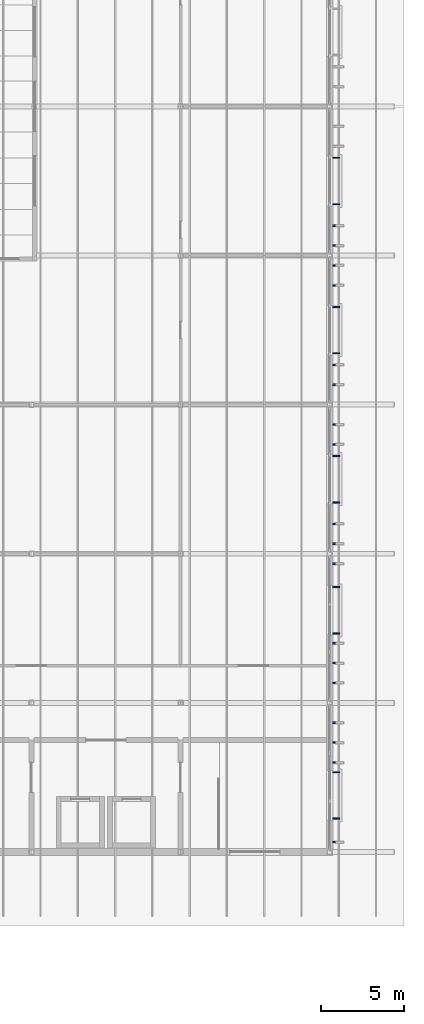
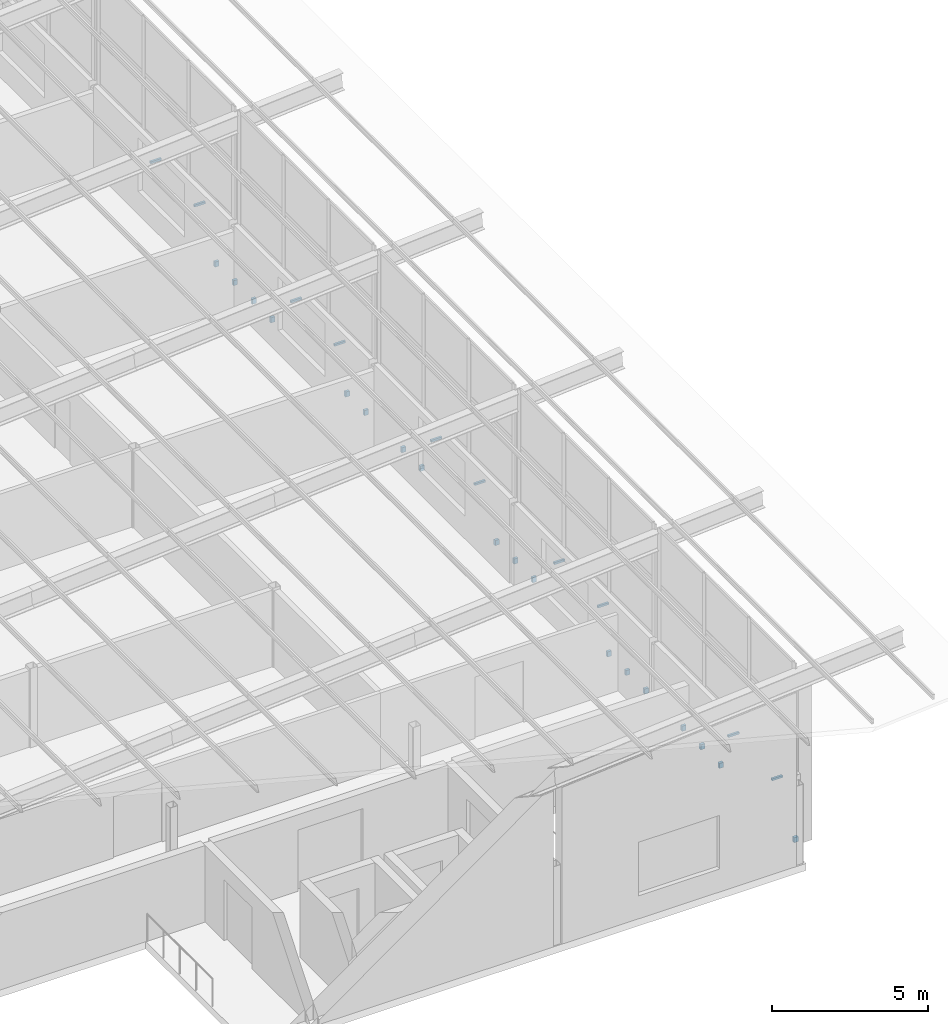
# One storey, part 77 of 85: 28 discrete accessories.
"""IFC4 building model written with IfcOpenShell, lengths in metres."""

from ifc_helpers import new_model, si_unit, direction, frame, origin, origin_2d, place, context, subcontext, project, spatial, rectangle, extrude, material, type_object, element, save


model = new_model("IFC4")

# Units and contexts
model_context = context("Model", 3, precision=1e-05, world=origin(), true_north=direction((0.0, 1.0)))
body_context = subcontext(model_context, "Body", "Model", "MODEL_VIEW")
ifc_project = project(units=[si_unit("LENGTHUNIT", "METRE"), si_unit("AREAUNIT", "SQUARE_METRE"), si_unit("VOLUMEUNIT", "CUBIC_METRE"), si_unit("PLANEANGLEUNIT", "RADIAN"), si_unit("MASSUNIT", "GRAM", prefix="KILO")], contexts=[model_context])

# Site, building, storey
site_placement = place(None, origin())
site = spatial("IfcSite", under=ifc_project, at=site_placement, CompositionType="ELEMENT")
building_placement = place(site_placement, origin())
building = spatial("IfcBuilding", under=site, at=building_placement, Name="Opaline Strait Convention Centre", CompositionType="ELEMENT")
storey_placement = place(building_placement, frame((0.0, 0.0, 17.0)))
storey = spatial("IfcBuildingStorey", under=building, at=storey_placement, Name="L03", CompositionType="ELEMENT", Elevation=17.0)

# Discrete accessories
ifc_material = material(Name="Stainless steel 304", Category="steel")
discrete_accessory_type_1 = type_object("IfcDiscreteAccessoryType", Name="Fin bracket 150 stainless steel", PredefinedType="BRACKET", material=ifc_material)
for number, where, z_axis, x_axis, name in (
    (1, (360.27490234375, 90.60009765625, 0.35009765625), (0.0, 0.0, 1.0), (1.0, 0.0, 0.0), "Fin bracket"),
    (2, (360.27490234375, 95.39990234375, 0.35009765625), (0.0, 0.0, 1.0), (1.0, 0.0, 0.0), "Fin bracket"),
    (3, (360.27490234375, 96.60009765625, 0.35009765625), (0.0, 0.0, 1.0), (1.0, 0.0, 0.0), "Fin bracket"),
    (4, (360.27490234375, 97.800048828125, 0.35009765625), (0.0, 0.0, 1.0), (1.0, 0.0, 0.0), "Fin bracket"),
    (5, (360.27490234375, 100.199951171875, 0.35009765625), (0.0, 0.0, 1.0), (1.0, 0.0, 0.0), "Fin bracket"),
    (6, (360.27490234375, 101.39990234375, 0.35009765625), (0.0, 0.0, 1.0), (1.0, 0.0, 0.0), "Fin bracket"),
    (7, (360.27490234375, 102.60009765625, 0.35009765625), (0.0, 0.0, 1.0), (1.0, 0.0, 0.0), "Fin bracket"),
    (8, (360.27490234375, 107.39990234375, 0.35009765625), (0.0, 0.0, 1.0), (1.0, 0.0, 0.0), "Fin bracket"),
    (9, (360.27490234375, 108.60009765625, 0.35009765625), (0.0, 0.0, 1.0), (1.0, 0.0, 0.0), "Fin bracket"),
    (10, (360.27490234375, 109.800048828125, 0.35009765625), (0.0, 0.0, 1.0), (1.0, 0.0, 0.0), "Fin bracket"),
    (11, (360.27490234375, 114.60009765625, 0.35009765625), (0.0, 0.0, 1.0), (1.0, 0.0, 0.0), "Fin bracket"),
    (12, (360.27490234375, 115.800048828125, 0.35009765625), (0.0, 0.0, 1.0), (1.0, 0.0, 0.0), "Fin bracket"),
    (13, (360.27490234375, 118.199951171875, 0.35009765625), (0.0, 0.0, 1.0), (1.0, 0.0, 0.0), "Fin bracket"),
    (14, (360.27490234375, 119.39990234375, 0.35009765625), (0.0, 0.0, 1.0), (1.0, 0.0, 0.0), "Fin bracket"),
    (15, (360.27490234375, 124.199951171875, 0.35009765625), (0.0, 0.0, 1.0), (1.0, 0.0, 0.0), "Fin bracket"),
    (16, (360.27490234375, 125.39990234375, 0.35009765625), (0.0, 0.0, 1.0), (1.0, 0.0, 0.0), "Fin bracket"),
    (17, (360.27490234375, 126.60009765625, 0.35009765625), (0.0, 0.0, 1.0), (1.0, 0.0, 0.0), "Fin bracket"),
    (18, (360.27490234375, 127.800048828125, 0.35009765625), (0.0, 0.0, 1.0), (1.0, 0.0, 0.0), "Fin bracket"),
):
    element("IfcDiscreteAccessory", number, at=place(storey_placement, frame(where, z_axis=z_axis, x_axis=x_axis)), inside=storey, type_object=discrete_accessory_type_1, Name=name, PredefinedType="BRACKET", context=body_context, shape_type="SweptSolid", body=[
        extrude(rectangle(XDim=0.14990234375, YDim=0.10009765625, at=origin_2d()), origin(), (0.0, 0.0, 1.0), 0.199951171875),
    ])
discrete_accessory_type_2 = type_object("IfcDiscreteAccessoryType", Name="Louvre bracket 400 stainless steel", PredefinedType="BRACKET", material=ifc_material)
for number, where, z_axis, x_axis, name in (
    (19, (360.39990234375, 92.012451171875, 1.909912109375), (0.0, 0.0, 1.0), (1.0, 0.0, 0.0), "Louvre bracket"),
    (20, (360.39990234375, 94.8125, 1.909912109375), (0.0, 0.0, 1.0), (1.0, 0.0, 0.0), "Louvre bracket"),
    (21, (360.39990234375, 103.1875, 1.909912109375), (0.0, 0.0, 1.0), (1.0, 0.0, 0.0), "Louvre bracket"),
    (22, (360.39990234375, 105.987548828125, 1.909912109375), (0.0, 0.0, 1.0), (1.0, 0.0, 0.0), "Louvre bracket"),
    (23, (360.39990234375, 111.10009765625, 1.909912109375), (0.0, 0.0, 1.0), (1.0, 0.0, 0.0), "Louvre bracket"),
    (24, (360.39990234375, 113.89990234375, 1.909912109375), (0.0, 0.0, 1.0), (1.0, 0.0, 0.0), "Louvre bracket"),
    (25, (360.39990234375, 120.10009765625, 1.909912109375), (0.0, 0.0, 1.0), (1.0, 0.0, 0.0), "Louvre bracket"),
    (26, (360.39990234375, 122.89990234375, 1.909912109375), (0.0, 0.0, 1.0), (1.0, 0.0, 0.0), "Louvre bracket"),
    (27, (360.39990234375, 129.10009765625, 1.909912109375), (0.0, 0.0, 1.0), (1.0, 0.0, 0.0), "Louvre bracket"),
    (28, (360.39990234375, 131.89990234375, 1.909912109375), (0.0, 0.0, 1.0), (1.0, 0.0, 0.0), "Louvre bracket"),
):
    element("IfcDiscreteAccessory", number, at=place(storey_placement, frame(where, z_axis=z_axis, x_axis=x_axis)), inside=storey, type_object=discrete_accessory_type_2, Name=name, PredefinedType="BRACKET", context=body_context, shape_type="SweptSolid", body=[
        extrude(rectangle(XDim=0.39990234375, YDim=0.080078125, at=origin_2d()), origin(), (0.0, 0.0, 1.0), 0.080078125),
    ])

save(model, "model.ifc")
